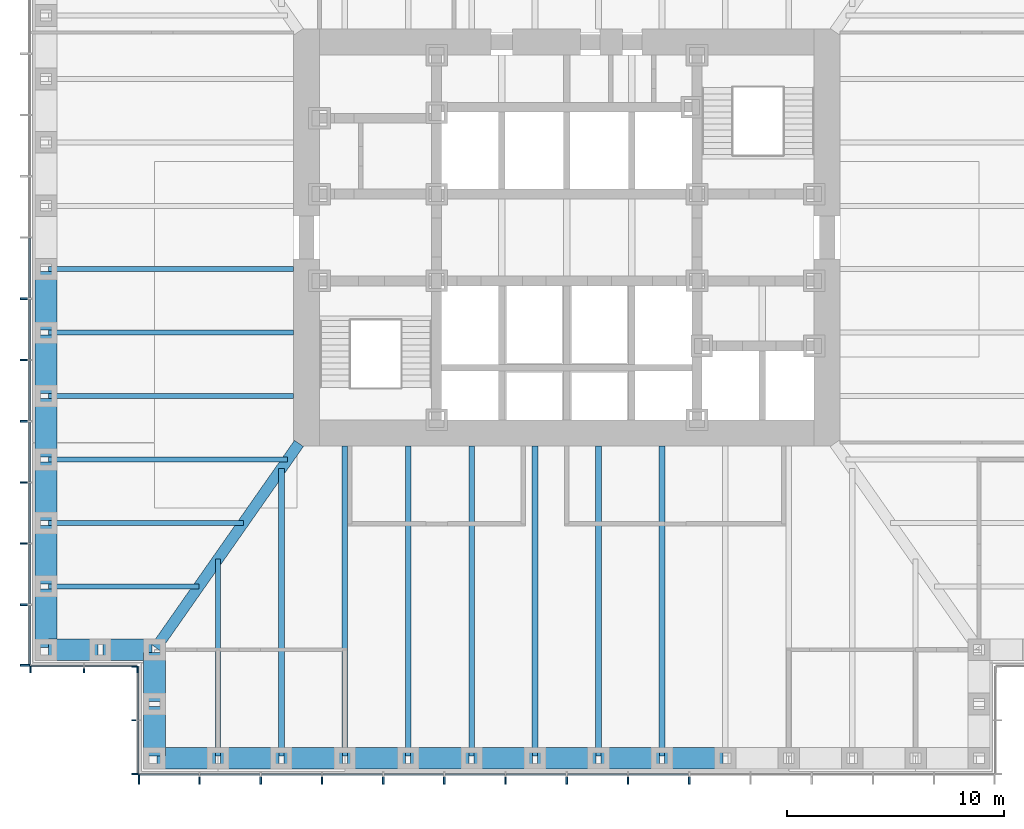
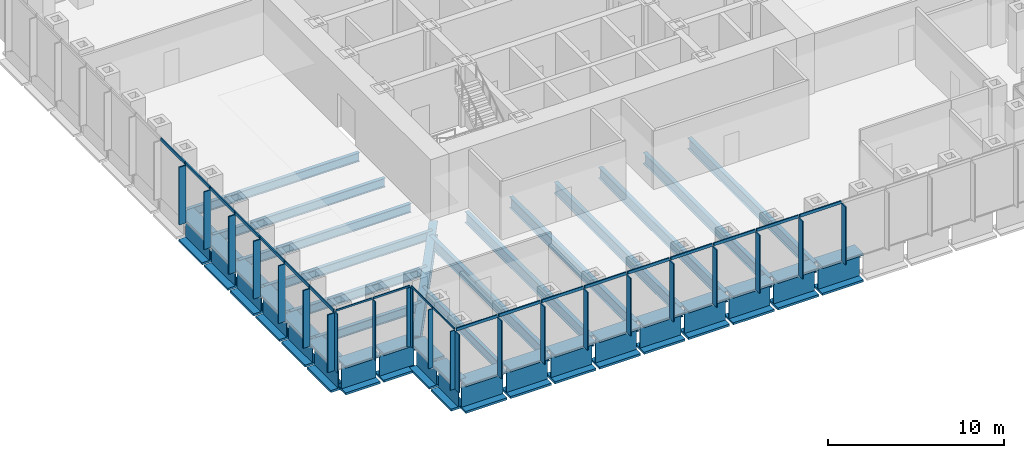
# One storey, part 2 of 16: 43 members, 34 beams, 4 elements without a shape of their own.
"""IFC4 building model written with IfcOpenShell, lengths in metres."""

from ifc_helpers import new_model, si_unit, direction, frame, origin, origin_2d, place, context, subcontext, project, spatial, rectangle, i_section, extrude, material, material_profile, profile_set, type_object, element, aggregate, save


model = new_model("IFC4")

# Units and contexts
model_context = context("Model", 3, precision=1e-05, world=origin(), true_north=direction((0.0, 1.0)))
body_context = subcontext(model_context, "Body", "Model", "MODEL_VIEW")
ifc_project = project(units=[si_unit("LENGTHUNIT", "METRE"), si_unit("AREAUNIT", "SQUARE_METRE"), si_unit("VOLUMEUNIT", "CUBIC_METRE"), si_unit("PLANEANGLEUNIT", "RADIAN"), si_unit("MASSUNIT", "GRAM", prefix="KILO")], contexts=[model_context])

# Site, building, storey
site_placement = place(None, origin())
site = spatial("IfcSite", under=ifc_project, at=site_placement, CompositionType="ELEMENT")
building_placement = place(site_placement, origin())
building = spatial("IfcBuilding", under=site, at=building_placement, Name="Daluyong Arena Tower", CompositionType="ELEMENT")
storey_placement = place(building_placement, frame((0.0, 0.0, 43.300048828125)))
storey = spatial("IfcBuildingStorey", under=building, at=storey_placement, Name="L08", CompositionType="ELEMENT", Elevation=43.300048828125)

# Curtain wall, members
ifc_material_1 = material(Name="Bronze anodised aluminium and glass", Category="aluminium")
curtain_wall_type_1 = type_object("IfcCurtainWallType", Name="Curtain wall CW1", PredefinedType="USERDEFINED", material=ifc_material_1)
curtain_wall_1_placement = place(storey_placement, origin())
curtain_wall_1 = element("IfcCurtainWall", 1, at=curtain_wall_1_placement, inside=storey, type_object=curtain_wall_type_1, Name="curtain wall L08 S", ObjectType="UNITISED CURTAIN WALL", PredefinedType="USERDEFINED")
ifc_material_2 = material(Name="Bronze anodised aluminium fin", Category="aluminium")
ifc_material_profile_1 = material_profile(ifc_material_2, rectangle(XDim=0.449951171875, YDim=0.080078125, at=origin_2d()))
ifc_profile_set_1 = profile_set([ifc_material_profile_1], Name="Bronze anodised aluminium fin")
member_type_1 = type_object("IfcMemberType", Name="CW1 bronze fin 450x80", PredefinedType="MULLION", material=ifc_profile_set_1)
member_1_placement = place(storey_placement, frame((36.2900390625, 55.02490234375, 0.0), z_axis=(0.0, 0.0, 1.0), x_axis=(0.0, 1.0, 0.0)))
member_1 = element("IfcMember", 2, at=member_1_placement, type_object=member_type_1, Name="curtain wall L08 S fin 1", PredefinedType="MULLION", context=body_context, shape_type="SweptSolid", body=[
    extrude(rectangle(XDim=0.449951171875, YDim=0.080078125, at=origin_2d()), origin(), (0.0, 0.0, 1.0), 4.0),
])
member_2_placement = place(storey_placement, frame((39.071533203125, 55.02490234375, 0.0), z_axis=(0.0, 0.0, 1.0), x_axis=(0.0, 1.0, 0.0)))
member_2 = element("IfcMember", 3, at=member_2_placement, type_object=member_type_1, Name="curtain wall L08 S fin 2", PredefinedType="MULLION", context=body_context, shape_type="SweptSolid", body=[
    extrude(rectangle(XDim=0.449951171875, YDim=0.080078125, at=origin_2d()), origin(), (0.0, 0.0, 1.0), 4.0),
])
member_3_placement = place(storey_placement, frame((41.892822265625, 55.02490234375, 0.0), z_axis=(0.0, 0.0, 1.0), x_axis=(0.0, 1.0, 0.0)))
member_3 = element("IfcMember", 4, at=member_3_placement, type_object=member_type_1, Name="curtain wall L08 S fin 3", PredefinedType="MULLION", context=body_context, shape_type="SweptSolid", body=[
    extrude(rectangle(XDim=0.449951171875, YDim=0.080078125, at=origin_2d()), origin(), (0.0, 0.0, 1.0), 4.0),
])
member_4_placement = place(storey_placement, frame((44.71435546875, 55.02490234375, 0.0), z_axis=(0.0, 0.0, 1.0), x_axis=(0.0, 1.0, 0.0)))
member_4 = element("IfcMember", 5, at=member_4_placement, type_object=member_type_1, Name="curtain wall L08 S fin 4", PredefinedType="MULLION", context=body_context, shape_type="SweptSolid", body=[
    extrude(rectangle(XDim=0.449951171875, YDim=0.080078125, at=origin_2d()), origin(), (0.0, 0.0, 1.0), 4.0),
])
member_5_placement = place(storey_placement, frame((47.53564453125, 55.02490234375, 0.0), z_axis=(0.0, 0.0, 1.0), x_axis=(0.0, 1.0, 0.0)))
member_5 = element("IfcMember", 6, at=member_5_placement, type_object=member_type_1, Name="curtain wall L08 S fin 5", PredefinedType="MULLION", context=body_context, shape_type="SweptSolid", body=[
    extrude(rectangle(XDim=0.449951171875, YDim=0.080078125, at=origin_2d()), origin(), (0.0, 0.0, 1.0), 4.0),
])
member_6_placement = place(storey_placement, frame((50.357177734375, 55.02490234375, 0.0), z_axis=(0.0, 0.0, 1.0), x_axis=(0.0, 1.0, 0.0)))
member_6 = element("IfcMember", 7, at=member_6_placement, type_object=member_type_1, Name="curtain wall L08 S fin 6", PredefinedType="MULLION", context=body_context, shape_type="SweptSolid", body=[
    extrude(rectangle(XDim=0.449951171875, YDim=0.080078125, at=origin_2d()), origin(), (0.0, 0.0, 1.0), 4.0),
])
member_7_placement = place(storey_placement, frame((53.178466796875, 55.02490234375, 0.0), z_axis=(0.0, 0.0, 1.0), x_axis=(0.0, 1.0, 0.0)))
member_7 = element("IfcMember", 8, at=member_7_placement, type_object=member_type_1, Name="curtain wall L08 S fin 7", PredefinedType="MULLION", context=body_context, shape_type="SweptSolid", body=[
    extrude(rectangle(XDim=0.449951171875, YDim=0.080078125, at=origin_2d()), origin(), (0.0, 0.0, 1.0), 4.0),
])
member_8_placement = place(storey_placement, frame((56.0, 55.02490234375, 0.0), z_axis=(0.0, 0.0, 1.0), x_axis=(0.0, 1.0, 0.0)))
member_8 = element("IfcMember", 9, at=member_8_placement, type_object=member_type_1, Name="curtain wall L08 S fin 8", PredefinedType="MULLION", context=body_context, shape_type="SweptSolid", body=[
    extrude(rectangle(XDim=0.449951171875, YDim=0.080078125, at=origin_2d()), origin(), (0.0, 0.0, 1.0), 4.0),
])
member_9_placement = place(storey_placement, frame((58.821533203125, 55.02490234375, 0.0), z_axis=(0.0, 0.0, 1.0), x_axis=(0.0, 1.0, 0.0)))
member_9 = element("IfcMember", 10, at=member_9_placement, type_object=member_type_1, Name="curtain wall L08 S fin 9", PredefinedType="MULLION", context=body_context, shape_type="SweptSolid", body=[
    extrude(rectangle(XDim=0.449951171875, YDim=0.080078125, at=origin_2d()), origin(), (0.0, 0.0, 1.0), 4.0),
])
member_10_placement = place(storey_placement, frame((61.642822265625, 55.02490234375, 0.0), z_axis=(0.0, 0.0, 1.0), x_axis=(0.0, 1.0, 0.0)))
member_10 = element("IfcMember", 11, at=member_10_placement, type_object=member_type_1, Name="curtain wall L08 S fin 10", PredefinedType="MULLION", context=body_context, shape_type="SweptSolid", body=[
    extrude(rectangle(XDim=0.449951171875, YDim=0.080078125, at=origin_2d()), origin(), (0.0, 0.0, 1.0), 4.0),
])

curtain_wall_2_placement = place(storey_placement, origin())
curtain_wall_2 = element("IfcCurtainWall", 12, at=curtain_wall_2_placement, inside=storey, type_object=curtain_wall_type_1, Name="curtain wall L08 W", ObjectType="UNITISED CURTAIN WALL", PredefinedType="USERDEFINED")
member_11_placement = place(storey_placement, frame((31.02490234375, 77.178466796875, 0.0), z_axis=(0.0, 0.0, 1.0), x_axis=(1.0, 0.0, 0.0)))
member_11 = element("IfcMember", 13, at=member_11_placement, type_object=member_type_1, Name="curtain wall L08 W fin 9", PredefinedType="MULLION", context=body_context, shape_type="SweptSolid", body=[
    extrude(rectangle(XDim=0.449951171875, YDim=0.080078125, at=origin_2d()), origin(), (0.0, 0.0, 1.0), 4.0),
])
member_12_placement = place(storey_placement, frame((31.02490234375, 74.357177734375, 0.0), z_axis=(0.0, 0.0, 1.0), x_axis=(1.0, 0.0, 0.0)))
member_12 = element("IfcMember", 14, at=member_12_placement, type_object=member_type_1, Name="curtain wall L08 W fin 10", PredefinedType="MULLION", context=body_context, shape_type="SweptSolid", body=[
    extrude(rectangle(XDim=0.449951171875, YDim=0.080078125, at=origin_2d()), origin(), (0.0, 0.0, 1.0), 4.0),
])
member_13_placement = place(storey_placement, frame((31.02490234375, 71.53564453125, 0.0), z_axis=(0.0, 0.0, 1.0), x_axis=(1.0, 0.0, 0.0)))
member_13 = element("IfcMember", 15, at=member_13_placement, type_object=member_type_1, Name="curtain wall L08 W fin 11", PredefinedType="MULLION", context=body_context, shape_type="SweptSolid", body=[
    extrude(rectangle(XDim=0.449951171875, YDim=0.080078125, at=origin_2d()), origin(), (0.0, 0.0, 1.0), 4.0),
])
member_14_placement = place(storey_placement, frame((31.02490234375, 68.71435546875, 0.0), z_axis=(0.0, 0.0, 1.0), x_axis=(1.0, 0.0, 0.0)))
member_14 = element("IfcMember", 16, at=member_14_placement, type_object=member_type_1, Name="curtain wall L08 W fin 12", PredefinedType="MULLION", context=body_context, shape_type="SweptSolid", body=[
    extrude(rectangle(XDim=0.449951171875, YDim=0.080078125, at=origin_2d()), origin(), (0.0, 0.0, 1.0), 4.0),
])
member_15_placement = place(storey_placement, frame((31.02490234375, 65.892822265625, 0.0), z_axis=(0.0, 0.0, 1.0), x_axis=(1.0, 0.0, 0.0)))
member_15 = element("IfcMember", 17, at=member_15_placement, type_object=member_type_1, Name="curtain wall L08 W fin 13", PredefinedType="MULLION", context=body_context, shape_type="SweptSolid", body=[
    extrude(rectangle(XDim=0.449951171875, YDim=0.080078125, at=origin_2d()), origin(), (0.0, 0.0, 1.0), 4.0),
])
member_16_placement = place(storey_placement, frame((31.02490234375, 63.071533203125, 0.0), z_axis=(0.0, 0.0, 1.0), x_axis=(1.0, 0.0, 0.0)))
member_16 = element("IfcMember", 18, at=member_16_placement, type_object=member_type_1, Name="curtain wall L08 W fin 14", PredefinedType="MULLION", context=body_context, shape_type="SweptSolid", body=[
    extrude(rectangle(XDim=0.449951171875, YDim=0.080078125, at=origin_2d()), origin(), (0.0, 0.0, 1.0), 4.0),
])
member_17_placement = place(storey_placement, frame((31.02490234375, 60.2900390625, 0.0), z_axis=(0.0, 0.0, 1.0), x_axis=(1.0, 0.0, 0.0)))
member_17 = element("IfcMember", 19, at=member_17_placement, type_object=member_type_1, Name="curtain wall L08 W fin 15", PredefinedType="MULLION", context=body_context, shape_type="SweptSolid", body=[
    extrude(rectangle(XDim=0.449951171875, YDim=0.080078125, at=origin_2d()), origin(), (0.0, 0.0, 1.0), 4.0),
])

# Member
ifc_material_3 = material(Name="Bronze anodised aluminium", Category="aluminium")
ifc_material_profile_2 = material_profile(ifc_material_3, rectangle(XDim=0.080078125, YDim=0.199951171875, at=origin_2d()))
ifc_profile_set_2 = profile_set([ifc_material_profile_2], Name="Bronze anodised aluminium")
member_type_2 = type_object("IfcMemberType", Name="CW1 stack transom 200x80", PredefinedType="USERDEFINED", material=ifc_profile_set_2)
member_18_placement = place(storey_placement, frame((36.330078125, 55.25, 4.099853515625), z_axis=(1.0, 0.0, 0.0), x_axis=(0.0, 1.0, 0.0)))
member_18 = element("IfcMember", 20, at=member_18_placement, type_object=member_type_2, Name="curtain wall L08 S transom 1", ObjectType="TRANSOM", PredefinedType="USERDEFINED", context=body_context, shape_type="SweptSolid", body=[
    extrude(rectangle(XDim=0.080078125, YDim=0.199951171875, at=origin_2d()), origin(), (0.0, 0.0, 1.0), 2.701416015625),
])

member_19_placement = place(storey_placement, frame((39.111328125, 55.25, 4.099853515625), z_axis=(1.0, 0.0, 0.0), x_axis=(0.0, 1.0, 0.0)))
member_19 = element("IfcMember", 21, at=member_19_placement, type_object=member_type_2, Name="curtain wall L08 S transom 2", ObjectType="TRANSOM", PredefinedType="USERDEFINED", context=body_context, shape_type="SweptSolid", body=[
    extrude(rectangle(XDim=0.080078125, YDim=0.199951171875, at=origin_2d()), origin(), (0.0, 0.0, 1.0), 2.741455078125),
])

member_20_placement = place(storey_placement, frame((41.932861328125, 55.25, 4.099853515625), z_axis=(1.0, 0.0, 0.0), x_axis=(0.0, 1.0, 0.0)))
member_20 = element("IfcMember", 22, at=member_20_placement, type_object=member_type_2, Name="curtain wall L08 S transom 3", ObjectType="TRANSOM", PredefinedType="USERDEFINED", context=body_context, shape_type="SweptSolid", body=[
    extrude(rectangle(XDim=0.080078125, YDim=0.199951171875, at=origin_2d()), origin(), (0.0, 0.0, 1.0), 2.741455078125),
])

member_21_placement = place(storey_placement, frame((44.75439453125, 55.25, 4.099853515625), z_axis=(1.0, 0.0, 0.0), x_axis=(0.0, 1.0, 0.0)))
member_21 = element("IfcMember", 23, at=member_21_placement, type_object=member_type_2, Name="curtain wall L08 S transom 4", ObjectType="TRANSOM", PredefinedType="USERDEFINED", context=body_context, shape_type="SweptSolid", body=[
    extrude(rectangle(XDim=0.080078125, YDim=0.199951171875, at=origin_2d()), origin(), (0.0, 0.0, 1.0), 2.7412109375),
])

member_22_placement = place(storey_placement, frame((47.57568359375, 55.25, 4.099853515625), z_axis=(1.0, 0.0, 0.0), x_axis=(0.0, 1.0, 0.0)))
member_22 = element("IfcMember", 24, at=member_22_placement, type_object=member_type_2, Name="curtain wall L08 S transom 5", ObjectType="TRANSOM", PredefinedType="USERDEFINED", context=body_context, shape_type="SweptSolid", body=[
    extrude(rectangle(XDim=0.080078125, YDim=0.199951171875, at=origin_2d()), origin(), (0.0, 0.0, 1.0), 2.741455078125),
])

member_23_placement = place(storey_placement, frame((50.397216796875, 55.25, 4.099853515625), z_axis=(1.0, 0.0, 0.0), x_axis=(0.0, 1.0, 0.0)))
member_23 = element("IfcMember", 25, at=member_23_placement, type_object=member_type_2, Name="curtain wall L08 S transom 6", ObjectType="TRANSOM", PredefinedType="USERDEFINED", context=body_context, shape_type="SweptSolid", body=[
    extrude(rectangle(XDim=0.080078125, YDim=0.199951171875, at=origin_2d()), origin(), (0.0, 0.0, 1.0), 2.741455078125),
])

member_24_placement = place(storey_placement, frame((53.218505859375, 55.25, 4.099853515625), z_axis=(1.0, 0.0, 0.0), x_axis=(0.0, 1.0, 0.0)))
member_24 = element("IfcMember", 26, at=member_24_placement, type_object=member_type_2, Name="curtain wall L08 S transom 7", ObjectType="TRANSOM", PredefinedType="USERDEFINED", context=body_context, shape_type="SweptSolid", body=[
    extrude(rectangle(XDim=0.080078125, YDim=0.199951171875, at=origin_2d()), origin(), (0.0, 0.0, 1.0), 2.741455078125),
])

member_25_placement = place(storey_placement, frame((56.0400390625, 55.25, 4.099853515625), z_axis=(1.0, 0.0, 0.0), x_axis=(0.0, 1.0, 0.0)))
member_25 = element("IfcMember", 27, at=member_25_placement, type_object=member_type_2, Name="curtain wall L08 S transom 8", ObjectType="TRANSOM", PredefinedType="USERDEFINED", context=body_context, shape_type="SweptSolid", body=[
    extrude(rectangle(XDim=0.080078125, YDim=0.199951171875, at=origin_2d()), origin(), (0.0, 0.0, 1.0), 2.741455078125),
])

member_26_placement = place(storey_placement, frame((58.861328125, 55.25, 4.099853515625), z_axis=(1.0, 0.0, 0.0), x_axis=(0.0, 1.0, 0.0)))
member_26 = element("IfcMember", 28, at=member_26_placement, type_object=member_type_2, Name="curtain wall L08 S transom 9", ObjectType="TRANSOM", PredefinedType="USERDEFINED", context=body_context, shape_type="SweptSolid", body=[
    extrude(rectangle(XDim=0.080078125, YDim=0.199951171875, at=origin_2d()), origin(), (0.0, 0.0, 1.0), 2.741455078125),
])

aggregate(curtain_wall_1, [member_1, member_2, member_3, member_4, member_5, member_6, member_7, member_8, member_9, member_10, member_18, member_19, member_20, member_21, member_22, member_23, member_24, member_25, member_26])

member_27_placement = place(storey_placement, frame((31.25, 79.9599609375, 4.099853515625), z_axis=(0.0, -1.0, 0.0), x_axis=(1.0, 0.0, 0.0)))
member_27 = element("IfcMember", 29, at=member_27_placement, type_object=member_type_2, Name="curtain wall L08 W transom 8", ObjectType="TRANSOM", PredefinedType="USERDEFINED", context=body_context, shape_type="SweptSolid", body=[
    extrude(rectangle(XDim=0.080078125, YDim=0.199951171875, at=origin_2d()), origin(), (0.0, 0.0, 1.0), 2.741455078125),
])

member_28_placement = place(storey_placement, frame((31.25, 77.138671875, 4.099853515625), z_axis=(0.0, -1.0, 0.0), x_axis=(1.0, 0.0, 0.0)))
member_28 = element("IfcMember", 30, at=member_28_placement, type_object=member_type_2, Name="curtain wall L08 W transom 9", ObjectType="TRANSOM", PredefinedType="USERDEFINED", context=body_context, shape_type="SweptSolid", body=[
    extrude(rectangle(XDim=0.080078125, YDim=0.199951171875, at=origin_2d()), origin(), (0.0, 0.0, 1.0), 2.741455078125),
])

member_29_placement = place(storey_placement, frame((31.25, 74.317138671875, 4.099853515625), z_axis=(0.0, -1.0, 0.0), x_axis=(1.0, 0.0, 0.0)))
member_29 = element("IfcMember", 31, at=member_29_placement, type_object=member_type_2, Name="curtain wall L08 W transom 10", ObjectType="TRANSOM", PredefinedType="USERDEFINED", context=body_context, shape_type="SweptSolid", body=[
    extrude(rectangle(XDim=0.080078125, YDim=0.199951171875, at=origin_2d()), origin(), (0.0, 0.0, 1.0), 2.741455078125),
])

member_30_placement = place(storey_placement, frame((31.25, 71.49560546875, 4.099853515625), z_axis=(0.0, -1.0, 0.0), x_axis=(1.0, 0.0, 0.0)))
member_30 = element("IfcMember", 32, at=member_30_placement, type_object=member_type_2, Name="curtain wall L08 W transom 11", ObjectType="TRANSOM", PredefinedType="USERDEFINED", context=body_context, shape_type="SweptSolid", body=[
    extrude(rectangle(XDim=0.080078125, YDim=0.199951171875, at=origin_2d()), origin(), (0.0, 0.0, 1.0), 2.7412109375),
])

member_31_placement = place(storey_placement, frame((31.25, 68.67431640625, 4.099853515625), z_axis=(0.0, -1.0, 0.0), x_axis=(1.0, 0.0, 0.0)))
member_31 = element("IfcMember", 33, at=member_31_placement, type_object=member_type_2, Name="curtain wall L08 W transom 12", ObjectType="TRANSOM", PredefinedType="USERDEFINED", context=body_context, shape_type="SweptSolid", body=[
    extrude(rectangle(XDim=0.080078125, YDim=0.199951171875, at=origin_2d()), origin(), (0.0, 0.0, 1.0), 2.741455078125),
])

member_32_placement = place(storey_placement, frame((31.25, 65.852783203125, 4.099853515625), z_axis=(0.0, -1.0, 0.0), x_axis=(1.0, 0.0, 0.0)))
member_32 = element("IfcMember", 34, at=member_32_placement, type_object=member_type_2, Name="curtain wall L08 W transom 13", ObjectType="TRANSOM", PredefinedType="USERDEFINED", context=body_context, shape_type="SweptSolid", body=[
    extrude(rectangle(XDim=0.080078125, YDim=0.199951171875, at=origin_2d()), origin(), (0.0, 0.0, 1.0), 2.741455078125),
])

member_33_placement = place(storey_placement, frame((31.25, 63.031494140625, 4.099853515625), z_axis=(0.0, -1.0, 0.0), x_axis=(1.0, 0.0, 0.0)))
member_33 = element("IfcMember", 35, at=member_33_placement, type_object=member_type_2, Name="curtain wall L08 W transom 14", ObjectType="TRANSOM", PredefinedType="USERDEFINED", context=body_context, shape_type="SweptSolid", body=[
    extrude(rectangle(XDim=0.080078125, YDim=0.199951171875, at=origin_2d()), origin(), (0.0, 0.0, 1.0), 2.701416015625),
])

aggregate(curtain_wall_2, [member_11, member_12, member_13, member_14, member_15, member_16, member_17, member_27, member_28, member_29, member_30, member_31, member_32, member_33])

# Curtain wall, members
ifc_material_4 = material(Name="Bronze anodised aluminium and glass", Category="aluminium")
curtain_wall_type_2 = type_object("IfcCurtainWallType", Name="Curtain wall CW7", PredefinedType="USERDEFINED", material=ifc_material_4)
curtain_wall_3_placement = place(storey_placement, origin())
curtain_wall_3 = element("IfcCurtainWall", 36, at=curtain_wall_3_placement, inside=storey, type_object=curtain_wall_type_2, Name="curtain wall L08 SW-S", ObjectType="UNITISED CURTAIN WALL", PredefinedType="USERDEFINED")
ifc_material_5 = material(Name="Bronze anodised aluminium fin", Category="aluminium")
ifc_material_profile_3 = material_profile(ifc_material_5, rectangle(XDim=0.300048828125, YDim=0.06005859375, at=origin_2d()))
ifc_profile_set_3 = profile_set([ifc_material_profile_3], Name="Bronze anodised aluminium fin")
member_type_3 = type_object("IfcMemberType", Name="CW7 bronze fin 300x60", PredefinedType="MULLION", material=ifc_profile_set_3)
member_34_placement = place(storey_placement, frame((31.280029296875, 60.10009765625, 0.0), z_axis=(0.0, 0.0, 1.0), x_axis=(0.0, 1.0, 0.0)))
member_34 = element("IfcMember", 37, at=member_34_placement, type_object=member_type_3, Name="curtain wall L08 SW-S fin 1", PredefinedType="MULLION", context=body_context, shape_type="SweptSolid", body=[
    extrude(rectangle(XDim=0.300048828125, YDim=0.06005859375, at=origin_2d()), origin(), (0.0, 0.0, 1.0), 4.079833984375),
])
member_35_placement = place(storey_placement, frame((33.75, 60.10009765625, 0.0), z_axis=(0.0, 0.0, 1.0), x_axis=(0.0, 1.0, 0.0)))
member_35 = element("IfcMember", 38, at=member_35_placement, type_object=member_type_3, Name="curtain wall L08 SW-S fin 2", PredefinedType="MULLION", context=body_context, shape_type="SweptSolid", body=[
    extrude(rectangle(XDim=0.300048828125, YDim=0.06005859375, at=origin_2d()), origin(), (0.0, 0.0, 1.0), 4.079833984375),
])
member_36_placement = place(storey_placement, frame((36.219970703125, 60.10009765625, 0.0), z_axis=(0.0, 0.0, 1.0), x_axis=(0.0, 1.0, 0.0)))
member_36 = element("IfcMember", 39, at=member_36_placement, type_object=member_type_3, Name="curtain wall L08 SW-S fin 3", PredefinedType="MULLION", context=body_context, shape_type="SweptSolid", body=[
    extrude(rectangle(XDim=0.300048828125, YDim=0.06005859375, at=origin_2d()), origin(), (0.0, 0.0, 1.0), 4.079833984375),
])

curtain_wall_4_placement = place(storey_placement, origin())
curtain_wall_4 = element("IfcCurtainWall", 40, at=curtain_wall_4_placement, inside=storey, type_object=curtain_wall_type_2, Name="curtain wall L08 SW-W", ObjectType="UNITISED CURTAIN WALL", PredefinedType="USERDEFINED")
member_37_placement = place(storey_placement, frame((36.10009765625, 60.219970703125, 0.0), z_axis=(0.0, 0.0, 1.0), x_axis=(1.0, 0.0, 0.0)))
member_37 = element("IfcMember", 41, at=member_37_placement, type_object=member_type_3, Name="curtain wall L08 SW-W fin 1", PredefinedType="MULLION", context=body_context, shape_type="SweptSolid", body=[
    extrude(rectangle(XDim=0.300048828125, YDim=0.06005859375, at=origin_2d()), origin(), (0.0, 0.0, 1.0), 4.079833984375),
])
member_38_placement = place(storey_placement, frame((36.10009765625, 57.75, 0.0), z_axis=(0.0, 0.0, 1.0), x_axis=(1.0, 0.0, 0.0)))
member_38 = element("IfcMember", 42, at=member_38_placement, type_object=member_type_3, Name="curtain wall L08 SW-W fin 2", PredefinedType="MULLION", context=body_context, shape_type="SweptSolid", body=[
    extrude(rectangle(XDim=0.300048828125, YDim=0.06005859375, at=origin_2d()), origin(), (0.0, 0.0, 1.0), 4.079833984375),
])
member_39_placement = place(storey_placement, frame((36.10009765625, 55.280029296875, 0.0), z_axis=(0.0, 0.0, 1.0), x_axis=(1.0, 0.0, 0.0)))
member_39 = element("IfcMember", 43, at=member_39_placement, type_object=member_type_3, Name="curtain wall L08 SW-W fin 3", PredefinedType="MULLION", context=body_context, shape_type="SweptSolid", body=[
    extrude(rectangle(XDim=0.300048828125, YDim=0.06005859375, at=origin_2d()), origin(), (0.0, 0.0, 1.0), 4.079833984375),
])

# Member
ifc_material_6 = material(Name="Bronze anodised aluminium", Category="aluminium")
ifc_material_profile_4 = material_profile(ifc_material_6, rectangle(XDim=0.06005859375, YDim=0.1201171875, at=origin_2d()))
ifc_profile_set_4 = profile_set([ifc_material_profile_4], Name="Bronze anodised aluminium")
member_type_4 = type_object("IfcMemberType", Name="CW7 stack transom 120x60", PredefinedType="USERDEFINED", material=ifc_profile_set_4)
member_40_placement = place(storey_placement, frame((31.31005859375, 60.25, 4.139892578125), z_axis=(1.0, 0.0, 0.0), x_axis=(0.0, 1.0, 0.0)))
member_40 = element("IfcMember", 44, at=member_40_placement, type_object=member_type_4, Name="curtain wall L08 SW-S transom 1", ObjectType="TRANSOM", PredefinedType="USERDEFINED", context=body_context, shape_type="SweptSolid", body=[
    extrude(rectangle(XDim=0.06005859375, YDim=0.1201171875, at=origin_2d()), origin(), (0.0, 0.0, 1.0), 2.409912109375),
])

member_41_placement = place(storey_placement, frame((33.780029296875, 60.25, 4.139892578125), z_axis=(1.0, 0.0, 0.0), x_axis=(0.0, 1.0, 0.0)))
member_41 = element("IfcMember", 45, at=member_41_placement, type_object=member_type_4, Name="curtain wall L08 SW-S transom 2", ObjectType="TRANSOM", PredefinedType="USERDEFINED", context=body_context, shape_type="SweptSolid", body=[
    extrude(rectangle(XDim=0.06005859375, YDim=0.1201171875, at=origin_2d()), origin(), (0.0, 0.0, 1.0), 2.409912109375),
])

aggregate(curtain_wall_3, [member_34, member_35, member_36, member_40, member_41])

member_42_placement = place(storey_placement, frame((36.25, 60.18994140625, 4.139892578125), z_axis=(0.0, -1.0, 0.0), x_axis=(1.0, 0.0, 0.0)))
member_42 = element("IfcMember", 46, at=member_42_placement, type_object=member_type_4, Name="curtain wall L08 SW-W transom 1", ObjectType="TRANSOM", PredefinedType="USERDEFINED", context=body_context, shape_type="SweptSolid", body=[
    extrude(rectangle(XDim=0.06005859375, YDim=0.1201171875, at=origin_2d()), origin(), (0.0, 0.0, 1.0), 2.409912109375),
])

member_43_placement = place(storey_placement, frame((36.25, 57.719970703125, 4.139892578125), z_axis=(0.0, -1.0, 0.0), x_axis=(1.0, 0.0, 0.0)))
member_43 = element("IfcMember", 47, at=member_43_placement, type_object=member_type_4, Name="curtain wall L08 SW-W transom 2", ObjectType="TRANSOM", PredefinedType="USERDEFINED", context=body_context, shape_type="SweptSolid", body=[
    extrude(rectangle(XDim=0.06005859375, YDim=0.1201171875, at=origin_2d()), origin(), (0.0, 0.0, 1.0), 2.409912109375),
])

aggregate(curtain_wall_4, [member_37, member_38, member_39, member_42, member_43])

# Beams
ifc_material_7 = material(Name="Steel ASTM A572 Grade 50", Category="steel")
ifc_material_profile_5 = material_profile(ifc_material_7, i_section(OverallWidth=0.5, OverallDepth=1.0, WebThickness=0.03, FlangeThickness=0.06, at=origin_2d()))
ifc_profile_set_5 = profile_set([ifc_material_profile_5], Name="Steel ASTM A572 Grade 50")
beam_type_1 = type_object("IfcBeamType", Name="Corner girder TB1000X500", PredefinedType="BEAM", material=ifc_profile_set_5)
beam_1_placement = place(storey_placement, frame((37.06591796875, 61.09423828125, -0.66015625), z_axis=(0.573466621875, 0.819228926244, 0.0), x_axis=(-0.819228926244, 0.573466621875, 0.0)))
element("IfcBeam", 48, at=beam_1_placement, inside=storey, type_object=beam_type_1, Name="corner girder DG2", PredefinedType="BEAM", context=body_context, shape_type="SweptSolid", body=[
    extrude(i_section(OverallWidth=0.5, OverallDepth=1.0, WebThickness=0.03, FlangeThickness=0.06, at=origin_2d()), origin(), (0.0, 0.0, 1.0), 11.49169921875),
])
ifc_material_8 = material(Name="Steel ASTM A992 Grade 50", Category="steel")
ifc_material_profile_6 = material_profile(ifc_material_8, i_section(OverallWidth=0.22900390625, OverallDepth=0.612060546875, WebThickness=0.011962890625, FlangeThickness=0.01953125, at=origin_2d()))
ifc_profile_set_6 = profile_set([ifc_material_profile_6], Name="Steel ASTM A992 Grade 50")
beam_type_2 = type_object("IfcBeamType", Name="Floor beam W24X84", PredefinedType="BEAM", material=ifc_profile_set_6)
beam_2_placement = place(storey_placement, frame((39.923095703125, 56.114990234375, -0.466064453125), z_axis=(0.0, 1.0, 0.0), x_axis=(-1.0, 0.0, 0.0)))
element("IfcBeam", 49, at=beam_2_placement, inside=storey, type_object=beam_type_2, Name="floor beam FB3", PredefinedType="BEAM", context=body_context, shape_type="SweptSolid", body=[
    extrude(i_section(OverallWidth=0.22900390625, OverallDepth=0.612060546875, WebThickness=0.011962890625, FlangeThickness=0.01953125, at=origin_2d()), origin(), (0.0, 0.0, 1.0), 9.060791015625),
])
for number, where, z_axis, x_axis, name in (
    (50, (32.114990234375, 78.53857421875, -0.466064453125), (1.0, 0.0, 0.0), (0.0, 1.0, 0.0), "floor beam FB3"),
    (51, (32.114990234375, 75.615478515625, -0.466064453125), (1.0, 0.0, 0.0), (0.0, 1.0, 0.0), "floor beam FB3"),
    (52, (32.114990234375, 72.6923828125, -0.466064453125), (1.0, 0.0, 0.0), (0.0, 1.0, 0.0), "floor beam FB3"),
):
    element("IfcBeam", number, at=place(storey_placement, frame(where, z_axis=z_axis, x_axis=x_axis)), inside=storey, type_object=beam_type_2, Name=name, PredefinedType="BEAM", context=body_context, shape_type="SweptSolid", body=[
        extrude(i_section(OverallWidth=0.22900390625, OverallDepth=0.612060546875, WebThickness=0.011962890625, FlangeThickness=0.01953125, at=origin_2d()), origin(), (0.0, 0.0, 1.0), 11.284912109375),
    ])
beam_3_placement = place(storey_placement, frame((32.114990234375, 69.769287109375, -0.466064453125), z_axis=(1.0, 0.0, 0.0), x_axis=(0.0, 1.0, 0.0)))
element("IfcBeam", 53, at=beam_3_placement, inside=storey, type_object=beam_type_2, Name="floor beam FB3", PredefinedType="BEAM", context=body_context, shape_type="SweptSolid", body=[
    extrude(i_section(OverallWidth=0.22900390625, OverallDepth=0.612060546875, WebThickness=0.011962890625, FlangeThickness=0.01953125, at=origin_2d()), origin(), (0.0, 0.0, 1.0), 11.0234375),
])
beam_4_placement = place(storey_placement, frame((32.114990234375, 66.84619140625, -0.466064453125), z_axis=(1.0, 0.0, 0.0), x_axis=(0.0, 1.0, 0.0)))
element("IfcBeam", 54, at=beam_4_placement, inside=storey, type_object=beam_type_2, Name="floor beam FB3", PredefinedType="BEAM", context=body_context, shape_type="SweptSolid", body=[
    extrude(i_section(OverallWidth=0.22900390625, OverallDepth=0.612060546875, WebThickness=0.011962890625, FlangeThickness=0.01953125, at=origin_2d()), origin(), (0.0, 0.0, 1.0), 8.977294921875),
])
beam_5_placement = place(storey_placement, frame((32.114990234375, 63.923095703125, -0.466064453125), z_axis=(1.0, 0.0, 0.0), x_axis=(0.0, 1.0, 0.0)))
element("IfcBeam", 55, at=beam_5_placement, inside=storey, type_object=beam_type_2, Name="floor beam FB3", PredefinedType="BEAM", context=body_context, shape_type="SweptSolid", body=[
    extrude(i_section(OverallWidth=0.22900390625, OverallDepth=0.612060546875, WebThickness=0.011962890625, FlangeThickness=0.01953125, at=origin_2d()), origin(), (0.0, 0.0, 1.0), 6.93115234375),
])
ifc_material_9 = material(Name="Steel ASTM A992 Grade 50", Category="steel")
ifc_material_profile_7 = material_profile(ifc_material_9, i_section(OverallWidth=0.2666015625, OverallDepth=0.761962890625, WebThickness=0.014404296875, FlangeThickness=0.021484375, at=origin_2d()))
ifc_profile_set_7 = profile_set([ifc_material_profile_7], Name="Steel ASTM A992 Grade 50")
beam_type_3 = type_object("IfcBeamType", Name="Floor beam W30X116", PredefinedType="BEAM", material=ifc_profile_set_7)
beam_6_placement = place(storey_placement, frame((42.84619140625, 56.114990234375, -0.541015625), z_axis=(0.0, 1.0, 0.0), x_axis=(-1.0, 0.0, 0.0)))
element("IfcBeam", 56, at=beam_6_placement, inside=storey, type_object=beam_type_3, Name="floor beam FB4", PredefinedType="BEAM", context=body_context, shape_type="SweptSolid", body=[
    extrude(i_section(OverallWidth=0.2666015625, OverallDepth=0.761962890625, WebThickness=0.014404296875, FlangeThickness=0.021484375, at=origin_2d()), origin(), (0.0, 0.0, 1.0), 13.236572265625),
])
for number, where, z_axis, x_axis, name in (
    (57, (45.769287109375, 56.114990234375, -0.541015625), (0.0, 1.0, 0.0), (-1.0, 0.0, 0.0), "floor beam FB4"),
    (58, (48.6923828125, 56.114990234375, -0.541015625), (0.0, 1.0, 0.0), (-1.0, 0.0, 0.0), "floor beam FB4"),
    (59, (51.615478515625, 56.114990234375, -0.541015625), (0.0, 1.0, 0.0), (-1.0, 0.0, 0.0), "floor beam FB4"),
    (60, (54.53857421875, 56.114990234375, -0.541015625), (0.0, 1.0, 0.0), (-1.0, 0.0, 0.0), "floor beam FB4"),
    (61, (57.46142578125, 56.114990234375, -0.541015625), (0.0, 1.0, 0.0), (-1.0, 0.0, 0.0), "floor beam FB4"),
    (62, (60.384521484375, 56.114990234375, -0.541015625), (0.0, 1.0, 0.0), (-1.0, 0.0, 0.0), "floor beam FB4"),
):
    element("IfcBeam", number, at=place(storey_placement, frame(where, z_axis=z_axis, x_axis=x_axis)), inside=storey, type_object=beam_type_3, Name=name, PredefinedType="BEAM", context=body_context, shape_type="SweptSolid", body=[
        extrude(i_section(OverallWidth=0.2666015625, OverallDepth=0.761962890625, WebThickness=0.014404296875, FlangeThickness=0.021484375, at=origin_2d()), origin(), (0.0, 0.0, 1.0), 14.284912109375),
    ])
ifc_material_10 = material(Name="Steel ASTM A588 Grade 50", Category="steel")
ifc_material_profile_8 = material_profile(ifc_material_10, i_section(OverallWidth=1.0, OverallDepth=2.0, WebThickness=0.06, FlangeThickness=0.15, at=origin_2d()))
ifc_profile_set_8 = profile_set([ifc_material_profile_8], Name="Steel ASTM A588 Grade 50")
beam_type_4 = type_object("IfcBeamType", Name="Spandrel Z1 PG2000X1000", PredefinedType="SPANDREL", material=ifc_profile_set_8)
for number, where, z_axis, x_axis, name in (
    (63, (37.114990234375, 56.0, -1.16015625), (1.0, 0.0, 0.0), (0.0, 1.0, 0.0), "spandrel z1 SB2"),
    (64, (40.0380859375, 56.0, -1.16015625), (1.0, 0.0, 0.0), (0.0, 1.0, 0.0), "spandrel z1 SB2"),
    (65, (42.961181640625, 56.0, -1.16015625), (1.0, 0.0, 0.0), (0.0, 1.0, 0.0), "spandrel z1 SB2"),
    (66, (45.88427734375, 56.0, -1.16015625), (1.0, 0.0, 0.0), (0.0, 1.0, 0.0), "spandrel z1 SB2"),
    (67, (48.807373046875, 56.0, -1.16015625), (1.0, 0.0, 0.0), (0.0, 1.0, 0.0), "spandrel z1 SB2"),
    (68, (51.73046875, 56.0, -1.16015625), (1.0, 0.0, 0.0), (0.0, 1.0, 0.0), "spandrel z1 SB2"),
):
    element("IfcBeam", number, at=place(storey_placement, frame(where, z_axis=z_axis, x_axis=x_axis)), inside=storey, type_object=beam_type_4, Name=name, PredefinedType="SPANDREL", context=body_context, shape_type="SweptSolid", body=[
        extrude(i_section(OverallWidth=1.0, OverallDepth=2.0, WebThickness=0.06, FlangeThickness=0.15, at=origin_2d()), origin(), (0.0, 0.0, 1.0), 2.693115234375),
    ])
beam_7_placement = place(storey_placement, frame((54.653564453125, 56.0, -1.16015625), z_axis=(1.0, 0.0, 0.0), x_axis=(0.0, 1.0, 0.0)))
element("IfcBeam", 69, at=beam_7_placement, inside=storey, type_object=beam_type_4, Name="spandrel z1 SB2", PredefinedType="SPANDREL", context=body_context, shape_type="SweptSolid", body=[
    extrude(i_section(OverallWidth=1.0, OverallDepth=2.0, WebThickness=0.06, FlangeThickness=0.15, at=origin_2d()), origin(), (0.0, 0.0, 1.0), 2.69287109375),
])
for number, where, z_axis, x_axis, name in (
    (70, (57.576416015625, 56.0, -1.16015625), (1.0, 0.0, 0.0), (0.0, 1.0, 0.0), "spandrel z1 SB2"),
    (71, (60.49951171875, 56.0, -1.16015625), (1.0, 0.0, 0.0), (0.0, 1.0, 0.0), "spandrel z1 SB2"),
    (72, (32.0, 78.423583984375, -1.16015625), (0.0, -1.0, 0.0), (1.0, 0.0, 0.0), "spandrel z1 SB2"),
    (73, (32.0, 75.50048828125, -1.16015625), (0.0, -1.0, 0.0), (1.0, 0.0, 0.0), "spandrel z1 SB2"),
    (74, (32.0, 72.577392578125, -1.16015625), (0.0, -1.0, 0.0), (1.0, 0.0, 0.0), "spandrel z1 SB2"),
    (75, (32.0, 69.654296875, -1.16015625), (0.0, -1.0, 0.0), (1.0, 0.0, 0.0), "spandrel z1 SB2"),
    (76, (32.0, 66.731201171875, -1.16015625), (0.0, -1.0, 0.0), (1.0, 0.0, 0.0), "spandrel z1 SB2"),
    (77, (32.0, 63.80810546875, -1.16015625), (0.0, -1.0, 0.0), (1.0, 0.0, 0.0), "spandrel z1 SB2"),
):
    element("IfcBeam", number, at=place(storey_placement, frame(where, z_axis=z_axis, x_axis=x_axis)), inside=storey, type_object=beam_type_4, Name=name, PredefinedType="SPANDREL", context=body_context, shape_type="SweptSolid", body=[
        extrude(i_section(OverallWidth=1.0, OverallDepth=2.0, WebThickness=0.06, FlangeThickness=0.15, at=origin_2d()), origin(), (0.0, 0.0, 1.0), 2.693115234375),
    ])
for number, where, z_axis, x_axis, name in (
    (78, (32.114990234375, 61.0, -1.16015625), (1.0, 0.0, 0.0), (0.0, 1.0, 0.0), "spandrel z1 SB2"),
    (79, (34.614990234375, 61.0, -1.16015625), (1.0, 0.0, 0.0), (0.0, 1.0, 0.0), "spandrel z1 SB2"),
    (80, (37.0, 60.885009765625, -1.16015625), (0.0, -1.0, 0.0), (1.0, 0.0, 0.0), "spandrel z1 SB2"),
    (81, (37.0, 58.385009765625, -1.16015625), (0.0, -1.0, 0.0), (1.0, 0.0, 0.0), "spandrel z1 SB2"),
):
    element("IfcBeam", number, at=place(storey_placement, frame(where, z_axis=z_axis, x_axis=x_axis)), inside=storey, type_object=beam_type_4, Name=name, PredefinedType="SPANDREL", context=body_context, shape_type="SweptSolid", body=[
        extrude(i_section(OverallWidth=1.0, OverallDepth=2.0, WebThickness=0.06, FlangeThickness=0.15, at=origin_2d()), origin(), (0.0, 0.0, 1.0), 2.27001953125),
    ])

save(model, "model.ifc")
